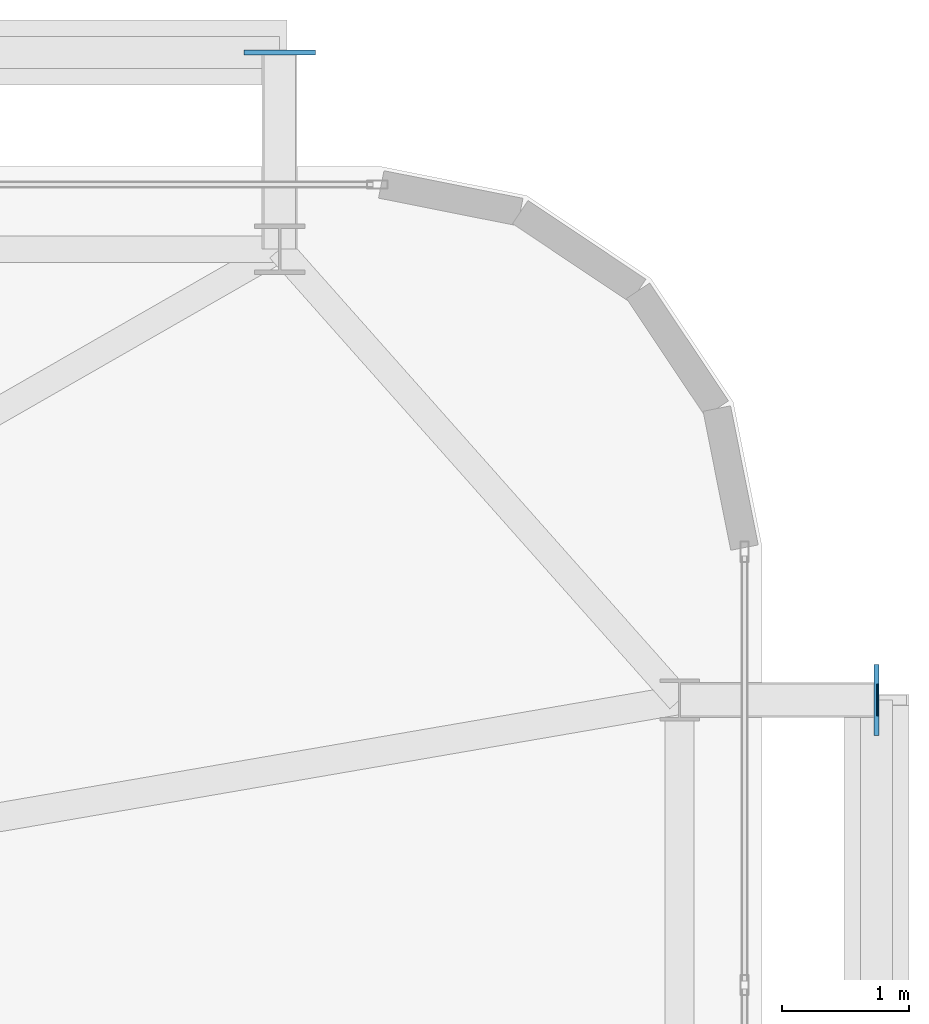
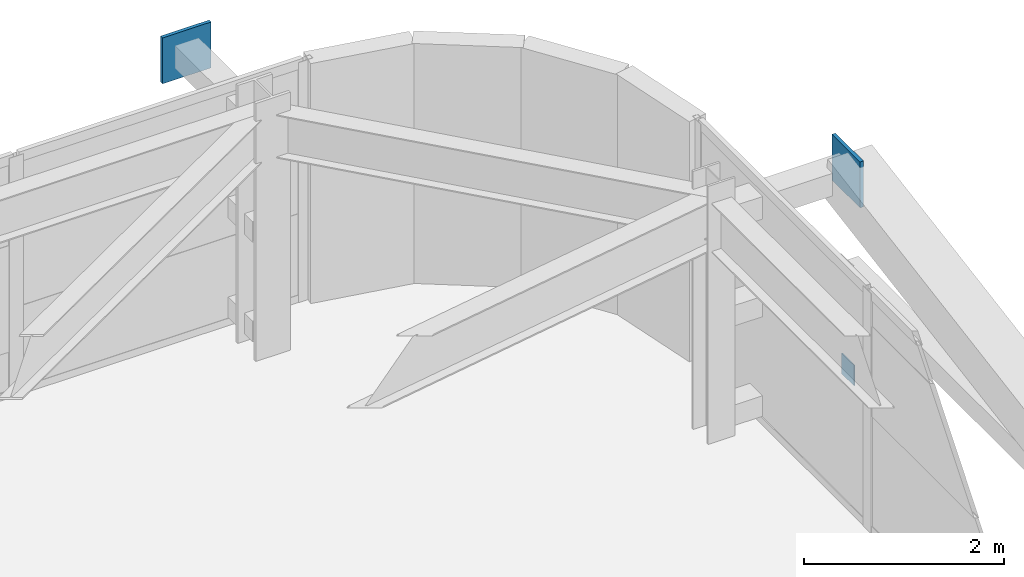
# One storey, part 51 of 59: 3 plates.
"""IFC4 building model written with IfcOpenShell, lengths in metres."""

import ifcopenshell
import ifcopenshell.guid

model = None  # the IFC model being written
_history = None  # IfcOwnerHistory: only IFC2X3 demands one
_inside = {}  # id of a spatial element -> (the spatial element, [elements in it])
_under = {}  # id of a project, library or spatial element -> (it, [spatial elements below it])
_declared = {}  # id of a project -> (the project, [libraries it declares])
_typed = {}  # id of a type object -> (the type object, [elements of that type])
_made_of = {}  # id of a material, layer set ... -> (it, [elements and type objects made of it])


def new_model(schema):
    """Start an empty IFC model of exactly this schema.

    Asked for "IFC4X3", IfcOpenShell would pick the latest addendum, in which some entities
    have other attributes; the version numbers below select the first issue.
    IFC2X3 requires an IfcOwnerHistory on every rooted entity: one is made here for all.
    """
    global model, _history
    if schema == "IFC4X3":
        model = ifcopenshell.file(schema_version=(4, 3, 0, 0))
    else:
        model = ifcopenshell.file(schema=schema)
    _inside.clear()
    _under.clear()
    _declared.clear()
    _typed.clear()
    _made_of.clear()
    _history = None
    if model.schema == "IFC2X3":
        org = make("IfcOrganization", Name="unknown")
        user = make(
            "IfcPersonAndOrganization",
            ThePerson=make("IfcPerson", FamilyName="unknown"),
            TheOrganization=org,
        )
        app = make(
            "IfcApplication",
            ApplicationDeveloper=org,
            Version="unknown",
            ApplicationFullName="unknown",
            ApplicationIdentifier="unknown",
        )
        _history = make(
            "IfcOwnerHistory",
            OwningUser=user,
            OwningApplication=app,
            ChangeAction="ADDED",
            CreationDate=0,
        )
    return model


def make(cls, **values):
    """One entity of the class cls with the attributes given. An attribute that is None is left unset."""
    return model.create_entity(
        cls, **{name: value for name, value in values.items() if value is not None}
    )


def rooted(cls, **values):
    """An entity with a GlobalId (a new one), such as an element, a storey or a relation."""
    return make(cls, GlobalId=ifcopenshell.guid.new(), OwnerHistory=_history, **values)


def si_unit(unit_type, name, prefix=None):
    """IfcSIUnit, for example si_unit("LENGTHUNIT", "METRE", prefix="MILLI")."""
    return make("IfcSIUnit", UnitType=unit_type, Prefix=prefix, Name=name)


def assignment(units):
    """IfcUnitAssignment: the units of a project."""
    return None if units is None else make("IfcUnitAssignment", Units=units)


def point(xyz):
    """IfcCartesianPoint."""
    return None if xyz is None else make("IfcCartesianPoint", Coordinates=xyz)


def direction(xyz):
    """IfcDirection."""
    return None if xyz is None else make("IfcDirection", DirectionRatios=xyz)


def frame(location, z_axis=None, x_axis=None):
    """IfcAxis2Placement3D, a coordinate frame: its origin and axes. An axis left out is left unset."""
    return make(
        "IfcAxis2Placement3D",
        Location=point(location),
        Axis=direction(z_axis),
        RefDirection=direction(x_axis),
    )


def frame_2d(location, x_axis=None):
    """IfcAxis2Placement2D, a coordinate frame in the plane: its origin and x axis."""
    return make(
        "IfcAxis2Placement2D", Location=point(location), RefDirection=direction(x_axis)
    )


def origin():
    """The frame at (0, 0, 0) with its axes left unset."""
    return frame((0.0, 0.0, 0.0))


def origin_2d():
    """The frame at (0, 0) in the plane with its x axis left unset."""
    return frame_2d((0.0, 0.0))


def place(relative_to, where):
    """IfcLocalPlacement: puts the frame where relative to a parent placement (None: the world)."""
    return make(
        "IfcLocalPlacement", PlacementRelTo=relative_to, RelativePlacement=where
    )


def context(
    kind, dimensions, precision=None, world=None, true_north=None, identifier=None
):
    """IfcGeometricRepresentationContext, for example the 3D "Model" context."""
    return make(
        "IfcGeometricRepresentationContext",
        ContextIdentifier=identifier,
        ContextType=kind,
        CoordinateSpaceDimension=dimensions,
        Precision=precision,
        WorldCoordinateSystem=world,
        TrueNorth=true_north,
    )


def subcontext(parent, identifier, kind, view, scale=None):
    """IfcGeometricRepresentationSubContext, for example "Body" below "Model"."""
    return make(
        "IfcGeometricRepresentationSubContext",
        ContextIdentifier=identifier,
        ContextType=kind,
        ParentContext=parent,
        TargetScale=scale,
        TargetView=view,
    )


def project(units=None, contexts=None):
    """IfcProject with its units and contexts."""
    return rooted(
        "IfcProject",
        Name="project",
        RepresentationContexts=contexts,
        UnitsInContext=assignment(units),
    )


def spatial(cls, under=None, at=None, **own):
    """A site, building, storey or space (cls), placed at a placement, below another one or the project."""
    s = rooted(cls, ObjectPlacement=at, **own)
    if under is not None:
        _under.setdefault(under.id(), (under, []))[1].append(s)
    return s


def profile(cls, at=None, kind="AREA", **sizes):
    """A parametric profile (cls). Its sizes go by their IFC names, for example OverallWidth=200.0."""
    return make(cls, ProfileType=kind, Position=at, **sizes)


def rectangle(**sizes):
    """IfcRectangleProfileDef."""
    return profile("IfcRectangleProfileDef", **sizes)


def extrude(swept, where, along, depth):
    """IfcExtrudedAreaSolid: the profile swept, set in the frame where, extruded along a direction by depth."""
    return make(
        "IfcExtrudedAreaSolid",
        SweptArea=swept,
        Position=where,
        ExtrudedDirection=direction(along),
        Depth=depth,
    )


def shape(context_of_items, identifier, shape_type, items):
    """IfcShapeRepresentation: the items that make up one representation, for example the "Body"."""
    return make(
        "IfcShapeRepresentation",
        ContextOfItems=context_of_items,
        RepresentationIdentifier=identifier,
        RepresentationType=shape_type,
        Items=items,
    )


def source(mapping_origin, context_of_items, identifier, shape_type, items):
    """IfcRepresentationMap: a shape defined once, which mapped items show again and again."""
    return make(
        "IfcRepresentationMap",
        MappingOrigin=mapping_origin,
        MappedRepresentation=shape(context_of_items, identifier, shape_type, items),
    )


def transform(
    local_origin,
    x_axis=None,
    y_axis=None,
    z_axis=None,
    scale=None,
    scale2=None,
    scale3=None,
    uniform=True,
):
    """IfcCartesianTransformationOperator3D, or its non-uniform kind. x_axis, y_axis, z_axis: its Axis1, 2, 3."""
    if uniform:
        return make(
            "IfcCartesianTransformationOperator3D",
            Axis1=direction(x_axis),
            Axis2=direction(y_axis),
            LocalOrigin=point(local_origin),
            Scale=scale,
            Axis3=direction(z_axis),
        )
    return make(
        "IfcCartesianTransformationOperator3DnonUniform",
        Axis1=direction(x_axis),
        Axis2=direction(y_axis),
        LocalOrigin=point(local_origin),
        Scale=scale,
        Axis3=direction(z_axis),
        Scale2=scale2,
        Scale3=scale3,
    )


def mapped(mapping_source, mapping_target):
    """IfcMappedItem: shows the shape of a source again, moved by a transform."""
    return make(
        "IfcMappedItem", MappingSource=mapping_source, MappingTarget=mapping_target
    )


def material(Name=None, Category=None):
    """IfcMaterial."""
    return make("IfcMaterial", Name=Name, Category=Category)


def layer(
    of_material, thickness, ventilated=None, Name=None, Category=None, Priority=None
):
    """IfcMaterialLayer: one layer of a wall or slab, of a material (None: an air gap)."""
    return make(
        "IfcMaterialLayer",
        Material=of_material,
        LayerThickness=thickness,
        IsVentilated=ventilated,
        Name=Name,
        Category=Category,
        Priority=Priority,
    )


def layer_set(layers, Name=None):
    """IfcMaterialLayerSet."""
    return make("IfcMaterialLayerSet", MaterialLayers=layers, LayerSetName=Name)


def made_of(thing, what):
    """Note that an element or type object is made of a material, layer set ...; save() writes the relation."""
    if what is not None:
        _made_of.setdefault(what.id(), (what, []))[1].append(thing)
    return thing


def type_object(cls, material=None, **own):
    """A type object (cls), such as IfcWallType, which elements share."""
    return made_of(rooted(cls, **own), material)


def element(
    cls,
    number,
    at=None,
    inside=None,
    cuts=None,
    type_object=None,
    material=None,
    context=None,
    identifier="Body",
    shape_type=None,
    held_by="IfcProductDefinitionShape",
    body=None,
    shapes=None,
    **own,
):
    """One element of the class cls, such as IfcWall. Its Tag is "e" and its number.

    at: its placement. inside: the storey or other place that contains it. cuts: it is an
    opening in that element (IfcRelVoidsElement). A single representation is given by context,
    identifier, shape_type and body (its items); several are given by shapes. held_by: the class
    of the entity that holds the representations. save() writes the other relations.
    """
    e = rooted(cls, Tag="e%d" % number, ObjectPlacement=at, **own)
    if body is not None:
        shapes = [shape(context, identifier, shape_type, body)]
    if shapes is not None:
        e.Representation = make(held_by, Representations=shapes)
    if inside is not None:
        _inside.setdefault(inside.id(), (inside, []))[1].append(e)
    if cuts is not None:
        rooted(
            "IfcRelVoidsElement", RelatingBuildingElement=cuts, RelatedOpeningElement=e
        )
    if type_object is not None:
        _typed.setdefault(type_object.id(), (type_object, []))[1].append(e)
    return made_of(e, material)


def aggregate(whole, parts):
    """IfcRelAggregates: a whole, such as a stair, and the parts it consists of."""
    return rooted("IfcRelAggregates", RelatingObject=whole, RelatedObjects=parts)


def save(model, path):
    """Write the relations noted so far, then the file.

    IfcRelAggregates (storeys below a building ...), IfcRelContainedInSpatialStructure (elements
    in a storey), IfcRelDefinesByType, IfcRelAssociatesMaterial and IfcRelDeclares: one each for
    every whole, place, type object, material and project.
    """
    for whole, parts in _under.values():
        aggregate(whole, parts)
    for where, things in _inside.values():
        rooted(
            "IfcRelContainedInSpatialStructure",
            RelatedElements=things,
            RelatingStructure=where,
        )
    for kind, things in _typed.values():
        rooted("IfcRelDefinesByType", RelatedObjects=things, RelatingType=kind)
    for what, things in _made_of.values():
        rooted("IfcRelAssociatesMaterial", RelatedObjects=things, RelatingMaterial=what)
    for by, libraries in _declared.values():
        rooted("IfcRelDeclares", RelatingContext=by, RelatedDefinitions=libraries)
    model.write(path)


model = new_model("IFC4")

# Units and contexts
model_context = context("Model", 3, precision=1e-05, world=origin(), true_north=direction((0.0, 1.0)))
body_context = subcontext(model_context, "Body", "Model", "MODEL_VIEW")
ifc_project = project(units=[si_unit("LENGTHUNIT", "METRE"), si_unit("AREAUNIT", "SQUARE_METRE"), si_unit("VOLUMEUNIT", "CUBIC_METRE"), si_unit("PLANEANGLEUNIT", "RADIAN"), si_unit("MASSUNIT", "GRAM", prefix="KILO")], contexts=[model_context])

# Site, building, storey
site_placement = place(None, origin())
site = spatial("IfcSite", under=ifc_project, at=site_placement, CompositionType="ELEMENT")
building_placement = place(site_placement, origin())
building = spatial("IfcBuilding", under=site, at=building_placement, Name="Taldren Reach Tower", CompositionType="ELEMENT")
storey_placement = place(building_placement, frame((0.0, 0.0, 26.25)))
storey = spatial("IfcBuildingStorey", under=building, at=storey_placement, Name="L07", CompositionType="ELEMENT", Elevation=26.25)

# Plates
ifc_material_1 = material(Name="Steel Gr 450 (C450L0)", Category="steel")
ifc_layer_1 = layer(ifc_material_1, 0.0400390625)
ifc_layer_set_1 = layer_set([ifc_layer_1], Name="Steel Gr 450 (C450L0)")
plate_type_1 = type_object("IfcPlateType", Name="PL-GUSSET-40", PredefinedType="SHEET", material=ifc_layer_set_1)
shared_shape_1 = source(origin(), body_context, "Body", "SweptSolid", [
    extrude(rectangle(XDim=0.56005859375, YDim=0.0400390625, at=origin_2d()), origin(), (0.0, 0.0, 1.0), 0.56005859375),
])
for number, where, z_axis, x_axis, name in (
    (1, (61.199951171875, 39.39990234375, 2.369873046875), (0.0, 0.0, 1.0), (1.0, 0.0, 0.0), "Exoskeleton star-node gusset plate B1-N6 L07"),
    (2, (65.89990234375, 34.300048828125, 2.369873046875), (0.0, 0.0, 1.0), (0.0, 1.0, 0.0), "Exoskeleton star-node gusset plate B1-E3 L07"),
):
    element("IfcPlate", number, at=place(storey_placement, frame(where, z_axis=z_axis, x_axis=x_axis)), inside=storey, type_object=plate_type_1, Name=name, PredefinedType="SHEET", context=body_context, shape_type="MappedRepresentation", body=[
        mapped(shared_shape_1, transform((0.0, 0.0, 0.0), scale=1.0)),
    ])
ifc_material_2 = material(Name="Steel Gr 350 (C350L0)", Category="steel")
ifc_layer_2 = layer(ifc_material_2, 0.011962890625)
ifc_layer_set_2 = layer_set([ifc_layer_2], Name="Steel Gr 350 (C350L0)")
plate_type_2 = type_object("IfcPlateType", Name="PL-CAP-250", PredefinedType="SHEET", material=ifc_layer_set_2)
shared_shape_2 = source(origin(), body_context, "Body", "SweptSolid", [
    extrude(rectangle(XDim=0.011962890625, YDim=0.25, at=origin_2d()), origin(), (0.0, 0.0, 1.0), 0.25),
])
plate_placement = place(storey_placement, frame((65.906005859375, 34.300048828125, 0.094970703125), z_axis=(0.0, 0.0, 1.0), x_axis=(1.0, 0.0, 0.0)))
element("IfcPlate", 3, at=plate_placement, inside=storey, type_object=plate_type_2, Name="Tie strut end cap plate B1-E3 L07", PredefinedType="SHEET", context=body_context, shape_type="MappedRepresentation", body=[
    mapped(shared_shape_2, transform((0.0, 0.0, 0.0), scale=1.0)),
])

save(model, "model.ifc")
